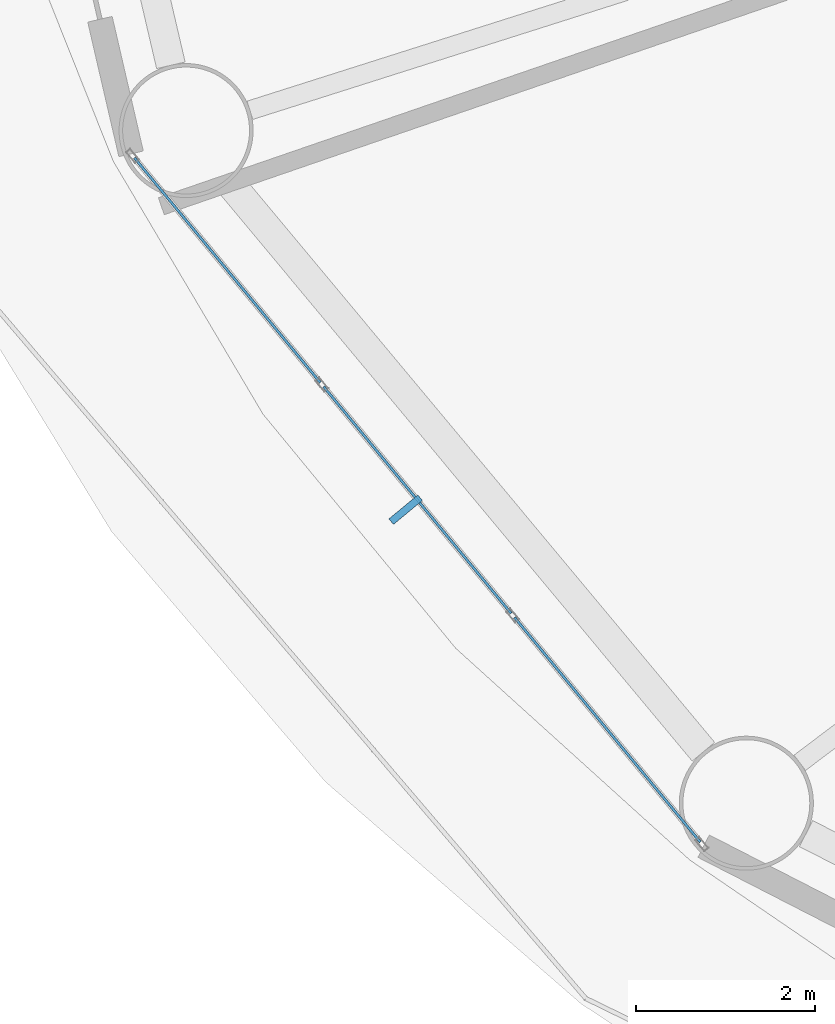
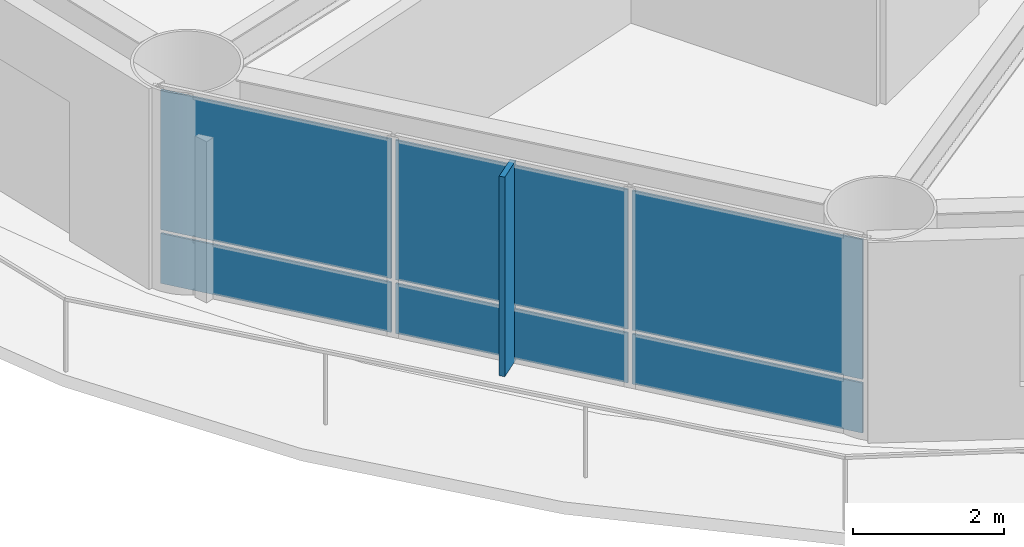
# One storey, part 16 of 27: 7 plates, 1 element without a shape of its own.
"""IFC4 building model written with IfcOpenShell, lengths in metres."""

import ifcopenshell
import ifcopenshell.guid

model = None  # the IFC model being written
_history = None  # IfcOwnerHistory: only IFC2X3 demands one
_inside = {}  # id of a spatial element -> (the spatial element, [elements in it])
_under = {}  # id of a project, library or spatial element -> (it, [spatial elements below it])
_declared = {}  # id of a project -> (the project, [libraries it declares])
_typed = {}  # id of a type object -> (the type object, [elements of that type])
_made_of = {}  # id of a material, layer set ... -> (it, [elements and type objects made of it])


def new_model(schema):
    """Start an empty IFC model of exactly this schema.

    Asked for "IFC4X3", IfcOpenShell would pick the latest addendum, in which some entities
    have other attributes; the version numbers below select the first issue.
    IFC2X3 requires an IfcOwnerHistory on every rooted entity: one is made here for all.
    """
    global model, _history
    if schema == "IFC4X3":
        model = ifcopenshell.file(schema_version=(4, 3, 0, 0))
    else:
        model = ifcopenshell.file(schema=schema)
    _inside.clear()
    _under.clear()
    _declared.clear()
    _typed.clear()
    _made_of.clear()
    _history = None
    if model.schema == "IFC2X3":
        org = make("IfcOrganization", Name="unknown")
        user = make(
            "IfcPersonAndOrganization",
            ThePerson=make("IfcPerson", FamilyName="unknown"),
            TheOrganization=org,
        )
        app = make(
            "IfcApplication",
            ApplicationDeveloper=org,
            Version="unknown",
            ApplicationFullName="unknown",
            ApplicationIdentifier="unknown",
        )
        _history = make(
            "IfcOwnerHistory",
            OwningUser=user,
            OwningApplication=app,
            ChangeAction="ADDED",
            CreationDate=0,
        )
    return model


def make(cls, **values):
    """One entity of the class cls with the attributes given. An attribute that is None is left unset."""
    return model.create_entity(
        cls, **{name: value for name, value in values.items() if value is not None}
    )


def rooted(cls, **values):
    """An entity with a GlobalId (a new one), such as an element, a storey or a relation."""
    return make(cls, GlobalId=ifcopenshell.guid.new(), OwnerHistory=_history, **values)


def si_unit(unit_type, name, prefix=None):
    """IfcSIUnit, for example si_unit("LENGTHUNIT", "METRE", prefix="MILLI")."""
    return make("IfcSIUnit", UnitType=unit_type, Prefix=prefix, Name=name)


def assignment(units):
    """IfcUnitAssignment: the units of a project."""
    return None if units is None else make("IfcUnitAssignment", Units=units)


def point(xyz):
    """IfcCartesianPoint."""
    return None if xyz is None else make("IfcCartesianPoint", Coordinates=xyz)


def direction(xyz):
    """IfcDirection."""
    return None if xyz is None else make("IfcDirection", DirectionRatios=xyz)


def frame(location, z_axis=None, x_axis=None):
    """IfcAxis2Placement3D, a coordinate frame: its origin and axes. An axis left out is left unset."""
    return make(
        "IfcAxis2Placement3D",
        Location=point(location),
        Axis=direction(z_axis),
        RefDirection=direction(x_axis),
    )


def frame_2d(location, x_axis=None):
    """IfcAxis2Placement2D, a coordinate frame in the plane: its origin and x axis."""
    return make(
        "IfcAxis2Placement2D", Location=point(location), RefDirection=direction(x_axis)
    )


def origin():
    """The frame at (0, 0, 0) with its axes left unset."""
    return frame((0.0, 0.0, 0.0))


def origin_2d():
    """The frame at (0, 0) in the plane with its x axis left unset."""
    return frame_2d((0.0, 0.0))


def place(relative_to, where):
    """IfcLocalPlacement: puts the frame where relative to a parent placement (None: the world)."""
    return make(
        "IfcLocalPlacement", PlacementRelTo=relative_to, RelativePlacement=where
    )


def context(
    kind, dimensions, precision=None, world=None, true_north=None, identifier=None
):
    """IfcGeometricRepresentationContext, for example the 3D "Model" context."""
    return make(
        "IfcGeometricRepresentationContext",
        ContextIdentifier=identifier,
        ContextType=kind,
        CoordinateSpaceDimension=dimensions,
        Precision=precision,
        WorldCoordinateSystem=world,
        TrueNorth=true_north,
    )


def subcontext(parent, identifier, kind, view, scale=None):
    """IfcGeometricRepresentationSubContext, for example "Body" below "Model"."""
    return make(
        "IfcGeometricRepresentationSubContext",
        ContextIdentifier=identifier,
        ContextType=kind,
        ParentContext=parent,
        TargetScale=scale,
        TargetView=view,
    )


def project(units=None, contexts=None):
    """IfcProject with its units and contexts."""
    return rooted(
        "IfcProject",
        Name="project",
        RepresentationContexts=contexts,
        UnitsInContext=assignment(units),
    )


def spatial(cls, under=None, at=None, **own):
    """A site, building, storey or space (cls), placed at a placement, below another one or the project."""
    s = rooted(cls, ObjectPlacement=at, **own)
    if under is not None:
        _under.setdefault(under.id(), (under, []))[1].append(s)
    return s


def profile(cls, at=None, kind="AREA", **sizes):
    """A parametric profile (cls). Its sizes go by their IFC names, for example OverallWidth=200.0."""
    return make(cls, ProfileType=kind, Position=at, **sizes)


def rectangle(**sizes):
    """IfcRectangleProfileDef."""
    return profile("IfcRectangleProfileDef", **sizes)


def extrude(swept, where, along, depth):
    """IfcExtrudedAreaSolid: the profile swept, set in the frame where, extruded along a direction by depth."""
    return make(
        "IfcExtrudedAreaSolid",
        SweptArea=swept,
        Position=where,
        ExtrudedDirection=direction(along),
        Depth=depth,
    )


def shape(context_of_items, identifier, shape_type, items):
    """IfcShapeRepresentation: the items that make up one representation, for example the "Body"."""
    return make(
        "IfcShapeRepresentation",
        ContextOfItems=context_of_items,
        RepresentationIdentifier=identifier,
        RepresentationType=shape_type,
        Items=items,
    )


def material(Name=None, Category=None):
    """IfcMaterial."""
    return make("IfcMaterial", Name=Name, Category=Category)


def layer(
    of_material, thickness, ventilated=None, Name=None, Category=None, Priority=None
):
    """IfcMaterialLayer: one layer of a wall or slab, of a material (None: an air gap)."""
    return make(
        "IfcMaterialLayer",
        Material=of_material,
        LayerThickness=thickness,
        IsVentilated=ventilated,
        Name=Name,
        Category=Category,
        Priority=Priority,
    )


def layer_set(layers, Name=None):
    """IfcMaterialLayerSet."""
    return make("IfcMaterialLayerSet", MaterialLayers=layers, LayerSetName=Name)


def made_of(thing, what):
    """Note that an element or type object is made of a material, layer set ...; save() writes the relation."""
    if what is not None:
        _made_of.setdefault(what.id(), (what, []))[1].append(thing)
    return thing


def type_object(cls, material=None, **own):
    """A type object (cls), such as IfcWallType, which elements share."""
    return made_of(rooted(cls, **own), material)


def element(
    cls,
    number,
    at=None,
    inside=None,
    cuts=None,
    type_object=None,
    material=None,
    context=None,
    identifier="Body",
    shape_type=None,
    held_by="IfcProductDefinitionShape",
    body=None,
    shapes=None,
    **own,
):
    """One element of the class cls, such as IfcWall. Its Tag is "e" and its number.

    at: its placement. inside: the storey or other place that contains it. cuts: it is an
    opening in that element (IfcRelVoidsElement). A single representation is given by context,
    identifier, shape_type and body (its items); several are given by shapes. held_by: the class
    of the entity that holds the representations. save() writes the other relations.
    """
    e = rooted(cls, Tag="e%d" % number, ObjectPlacement=at, **own)
    if body is not None:
        shapes = [shape(context, identifier, shape_type, body)]
    if shapes is not None:
        e.Representation = make(held_by, Representations=shapes)
    if inside is not None:
        _inside.setdefault(inside.id(), (inside, []))[1].append(e)
    if cuts is not None:
        rooted(
            "IfcRelVoidsElement", RelatingBuildingElement=cuts, RelatedOpeningElement=e
        )
    if type_object is not None:
        _typed.setdefault(type_object.id(), (type_object, []))[1].append(e)
    return made_of(e, material)


def aggregate(whole, parts):
    """IfcRelAggregates: a whole, such as a stair, and the parts it consists of."""
    return rooted("IfcRelAggregates", RelatingObject=whole, RelatedObjects=parts)


def save(model, path):
    """Write the relations noted so far, then the file.

    IfcRelAggregates (storeys below a building ...), IfcRelContainedInSpatialStructure (elements
    in a storey), IfcRelDefinesByType, IfcRelAssociatesMaterial and IfcRelDeclares: one each for
    every whole, place, type object, material and project.
    """
    for whole, parts in _under.values():
        aggregate(whole, parts)
    for where, things in _inside.values():
        rooted(
            "IfcRelContainedInSpatialStructure",
            RelatedElements=things,
            RelatingStructure=where,
        )
    for kind, things in _typed.values():
        rooted("IfcRelDefinesByType", RelatedObjects=things, RelatingType=kind)
    for what, things in _made_of.values():
        rooted("IfcRelAssociatesMaterial", RelatedObjects=things, RelatingMaterial=what)
    for by, libraries in _declared.values():
        rooted("IfcRelDeclares", RelatingContext=by, RelatedDefinitions=libraries)
    model.write(path)


model = new_model("IFC4")

# Units and contexts
model_context = context("Model", 3, precision=1e-05, world=origin(), true_north=direction((0.0, 1.0)))
body_context = subcontext(model_context, "Body", "Model", "MODEL_VIEW")
ifc_project = project(units=[si_unit("LENGTHUNIT", "METRE"), si_unit("AREAUNIT", "SQUARE_METRE"), si_unit("VOLUMEUNIT", "CUBIC_METRE"), si_unit("PLANEANGLEUNIT", "RADIAN"), si_unit("MASSUNIT", "GRAM", prefix="KILO")], contexts=[model_context])

# Site, building, storey
site_placement = place(None, origin())
site = spatial("IfcSite", under=ifc_project, at=site_placement, CompositionType="ELEMENT")
building_placement = place(site_placement, origin())
building = spatial("IfcBuilding", under=site, at=building_placement, Name="Sarneth Arch Tower", CompositionType="ELEMENT")
storey_placement = place(building_placement, frame((0.0, 0.0, 75.0)))
storey = spatial("IfcBuildingStorey", under=building, at=storey_placement, Name="L18", CompositionType="ELEMENT", Elevation=75.0)

# Curtain wall, plates
ifc_material_1 = material(Name="Anodised aluminium Type AA25 and solar-control low-e laminated IGU", Category="aluminium")
ifc_layer_1 = layer(ifc_material_1, 0.159912109375)
ifc_layer_set_1 = layer_set([ifc_layer_1], Name="Anodised aluminium Type AA25 and solar-control low-e laminated IGU")
curtain_wall_type = type_object("IfcCurtainWallType", Name="CW-HOTEL-LOW", PredefinedType="NOTDEFINED", material=ifc_layer_set_1)
curtain_wall_placement = place(storey_placement, origin())
curtain_wall = element("IfcCurtainWall", 1, at=curtain_wall_placement, inside=storey, type_object=curtain_wall_type, Name="L18 Unitised curtain wall facet 10", PredefinedType="NOTDEFINED")
ifc_material_2 = material(Name="Solar-control low-e laminated IGU", Category="glass")
ifc_layer_2 = layer(ifc_material_2, 0.028076171875)
ifc_layer_set_2 = layer_set([ifc_layer_2], Name="Solar-control low-e laminated IGU")
plate_type_1 = type_object("IfcPlateType", Name="CW-PANEL", PredefinedType="CURTAIN_PANEL", material=ifc_layer_set_2)
plate_1_placement = place(storey_placement, frame((20.496337890625, 31.558837890625, 0.06005859375), z_axis=(0.0, 0.0, 1.0), x_axis=(0.637291340827, -0.770622960278, 0.0)))
plate_1 = element("IfcPlate", 2, at=plate_1_placement, type_object=plate_type_1, Name="Curtain wall glazed vision pane CW-L18-F10/P00-00", PredefinedType="CURTAIN_PANEL", context=body_context, shape_type="SweptSolid", body=[
    extrude(rectangle(XDim=3.260986328125, YDim=0.028076171875, at=origin_2d()), origin(), (0.0, 0.0, 1.0), 0.81005859375),
])
plate_2_placement = place(storey_placement, frame((20.496337890625, 31.558837890625, 0.93017578125), z_axis=(0.0, 0.0, 1.0), x_axis=(0.637291340827, -0.770622960278, 0.0)))
plate_2 = element("IfcPlate", 3, at=plate_2_placement, type_object=plate_type_1, Name="Curtain wall glazed vision pane CW-L18-F10/P00-01", PredefinedType="CURTAIN_PANEL", context=body_context, shape_type="SweptSolid", body=[
    extrude(rectangle(XDim=3.260986328125, YDim=0.028076171875, at=origin_2d()), origin(), (0.0, 0.0, 1.0), 2.260009765625),
])
plate_3_placement = place(storey_placement, frame((22.62255859375, 28.98779296875, 0.06005859375), z_axis=(0.0, 0.0, 1.0), x_axis=(0.637291340827, -0.770622960278, 0.0)))
plate_3 = element("IfcPlate", 4, at=plate_3_placement, type_object=plate_type_1, Name="Curtain wall glazed vision pane CW-L18-F10/P01-00", PredefinedType="CURTAIN_PANEL", context=body_context, shape_type="SweptSolid", body=[
    extrude(rectangle(XDim=3.291015625, YDim=0.028076171875, at=origin_2d()), origin(), (0.0, 0.0, 1.0), 0.81005859375),
])
plate_4_placement = place(storey_placement, frame((22.62255859375, 28.98779296875, 0.93017578125), z_axis=(0.0, 0.0, 1.0), x_axis=(0.637291340827, -0.770622960278, 0.0)))
plate_4 = element("IfcPlate", 5, at=plate_4_placement, type_object=plate_type_1, Name="Curtain wall glazed vision pane CW-L18-F10/P01-01", PredefinedType="CURTAIN_PANEL", context=body_context, shape_type="SweptSolid", body=[
    extrude(rectangle(XDim=3.291015625, YDim=0.028076171875, at=origin_2d()), origin(), (0.0, 0.0, 1.0), 2.260009765625),
])
plate_5_placement = place(storey_placement, frame((24.74853515625, 26.4169921875, 0.06005859375), z_axis=(0.0, 0.0, 1.0), x_axis=(0.637291340827, -0.770622960278, 0.0)))
plate_5 = element("IfcPlate", 6, at=plate_5_placement, type_object=plate_type_1, Name="Curtain wall glazed vision pane CW-L18-F10/P02-00", PredefinedType="CURTAIN_PANEL", context=body_context, shape_type="SweptSolid", body=[
    extrude(rectangle(XDim=3.260986328125, YDim=0.028076171875, at=origin_2d()), origin(), (0.0, 0.0, 1.0), 0.81005859375),
])
plate_6_placement = place(storey_placement, frame((24.74853515625, 26.4169921875, 0.93017578125), z_axis=(0.0, 0.0, 1.0), x_axis=(0.637291340827, -0.770622960278, 0.0)))
plate_6 = element("IfcPlate", 7, at=plate_6_placement, type_object=plate_type_1, Name="Curtain wall glazed vision pane CW-L18-F10/P02-01", PredefinedType="CURTAIN_PANEL", context=body_context, shape_type="SweptSolid", body=[
    extrude(rectangle(XDim=3.260986328125, YDim=0.028076171875, at=origin_2d()), origin(), (0.0, 0.0, 1.0), 2.260009765625),
])
aggregate(curtain_wall, [plate_1, plate_2, plate_3, plate_4, plate_5, plate_6])

# Plate
ifc_material_3 = material(Name="Extruded glazed terracotta baguette fin on Aluminium 6063-T6 carrier", Category="masonry")
ifc_layer_3 = layer(ifc_material_3, 0.080078125)
ifc_layer_set_3 = layer_set([ifc_layer_3], Name="Extruded glazed terracotta baguette fin on Aluminium 6063-T6 carrier")
plate_type_2 = type_object("IfcPlateType", Name="SHADE-TERRA-FIN", PredefinedType="SHEET", material=ifc_layer_set_3)
plate_7_placement = place(storey_placement, frame((22.491455078125, 28.879638671875, 0.010009765625), z_axis=(0.0, 0.0, 1.0), x_axis=(-0.770624482513, -0.637289500111, 0.0)))
element("IfcPlate", 8, at=plate_7_placement, inside=storey, type_object=plate_type_2, Name="L18 Terracotta vertical shading fin 10", PredefinedType="SHEET", context=body_context, shape_type="SweptSolid", body=[
    extrude(rectangle(XDim=0.419921875, YDim=0.080078125, at=origin_2d()), origin(), (0.0, 0.0, 1.0), 3.22998046875),
])

save(model, "model.ifc")
